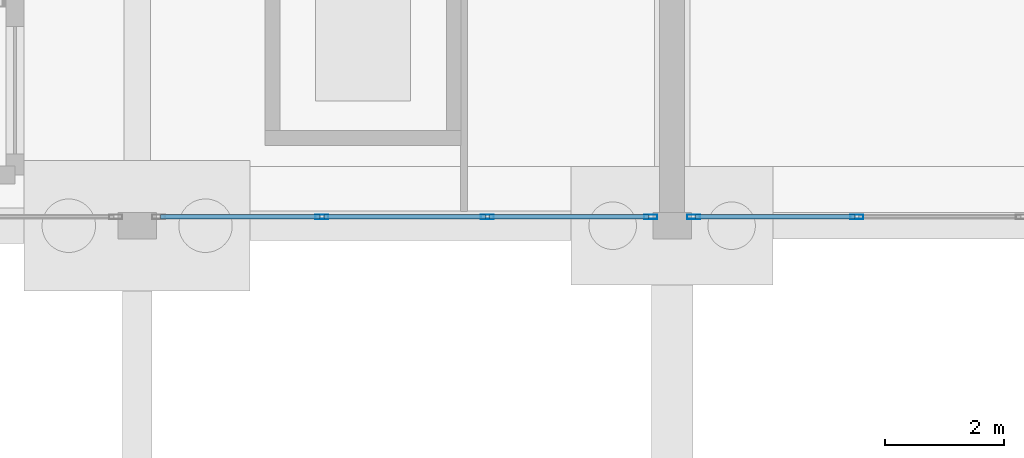
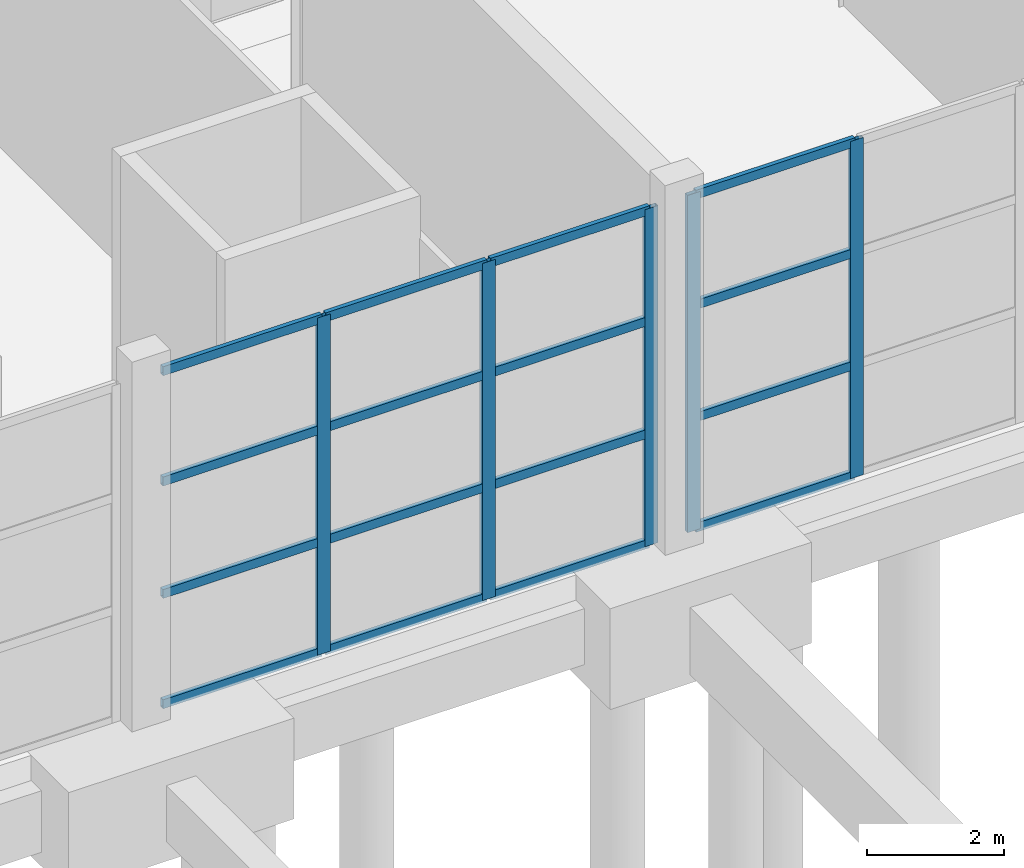
# One storey, part 49 of 115: 21 members, 2 elements without a shape of their own.
"""IFC4 building model written with IfcOpenShell, lengths in metres."""

from ifc_helpers import new_model, si_unit, direction, frame, origin, origin_2d, place, context, subcontext, project, spatial, hollow_rectangle, extrude, material, layer, layer_set, material_profile, profile_set, type_object, element, aggregate, save


model = new_model("IFC4")

# Units and contexts
model_context = context("Model", 3, precision=1e-05, world=origin(), true_north=direction((0.0, 1.0)))
body_context = subcontext(model_context, "Body", "Model", "MODEL_VIEW")
ifc_project = project(units=[si_unit("LENGTHUNIT", "METRE"), si_unit("AREAUNIT", "SQUARE_METRE"), si_unit("VOLUMEUNIT", "CUBIC_METRE"), si_unit("PLANEANGLEUNIT", "RADIAN"), si_unit("MASSUNIT", "GRAM", prefix="KILO")], contexts=[model_context])

# Site, building, storey
site_placement = place(None, origin())
site = spatial("IfcSite", under=ifc_project, at=site_placement, CompositionType="ELEMENT")
building_placement = place(site_placement, origin())
building = spatial("IfcBuilding", under=site, at=building_placement, Name="Tamarisk Ironworks Central Station", CompositionType="ELEMENT")
storey_placement = place(building_placement, origin())
storey = spatial("IfcBuildingStorey", under=building, at=storey_placement, Name="L00", CompositionType="ELEMENT", Elevation=0.0)

# Curtain wall, members
ifc_material = material(Name="Anodized aluminium alloy 6063-T6", Category="aluminium")
ifc_layer = layer(ifc_material, 0.179931640625)
ifc_layer_set = layer_set([ifc_layer], Name="Anodized aluminium alloy 6063-T6")
curtain_wall_type = type_object("IfcCurtainWallType", Name="CW-09", PredefinedType="USERDEFINED", material=ifc_layer_set)
curtain_wall_1_placement = place(storey_placement, origin())
curtain_wall_1 = element("IfcCurtainWall", 1, at=curtain_wall_1_placement, inside=storey, type_object=curtain_wall_type, Name="Pavilion L00 S glazed arcade 18", ObjectType="GLAZED CURTAIN WALL", PredefinedType="USERDEFINED")
ifc_material_profile_1 = material_profile(ifc_material, hollow_rectangle(XDim=0.074951171875, YDim=0.219970703125, WallThickness=0.00390625, at=origin_2d()), Name="ALUM 220x75")
ifc_profile_set_1 = profile_set([ifc_material_profile_1], Name="Anodized aluminium alloy 6063-T6")
member_type_1 = type_object("IfcMemberType", Name="CWM-01", PredefinedType="MULLION", material=ifc_profile_set_1)
member_1_placement = place(storey_placement, frame((21.107666015625, 90.14990234375, 0.0), z_axis=(0.0, 0.0, 1.0), x_axis=(0.0, 1.0, 0.0)))
member_1 = element("IfcMember", 2, at=member_1_placement, type_object=member_type_1, Name="CW09 mullion 2", PredefinedType="MULLION", context=body_context, shape_type="SweptSolid", body=[
    extrude(hollow_rectangle(XDim=0.074951171875, YDim=0.219970703125, WallThickness=0.00390625, at=origin_2d()), origin(), (0.0, 0.0, 1.0), 6.02001953125),
])
member_2_placement = place(storey_placement, frame((23.892333984375, 90.14990234375, 0.0), z_axis=(0.0, 0.0, 1.0), x_axis=(0.0, 1.0, 0.0)))
member_2 = element("IfcMember", 3, at=member_2_placement, type_object=member_type_1, Name="CW09 mullion 3", PredefinedType="MULLION", context=body_context, shape_type="SweptSolid", body=[
    extrude(hollow_rectangle(XDim=0.074951171875, YDim=0.219970703125, WallThickness=0.00390625, at=origin_2d()), origin(), (0.0, 0.0, 1.0), 6.02001953125),
])
member_3_placement = place(storey_placement, frame((26.639404296875, 90.14990234375, 0.0), z_axis=(0.0, 0.0, 1.0), x_axis=(0.0, 1.0, 0.0)))
member_3 = element("IfcMember", 4, at=member_3_placement, type_object=member_type_1, Name="CW09 mullion 4", PredefinedType="MULLION", context=body_context, shape_type="SweptSolid", body=[
    extrude(hollow_rectangle(XDim=0.074951171875, YDim=0.219970703125, WallThickness=0.00390625, at=origin_2d()), origin(), (0.0, 0.0, 1.0), 6.02001953125),
])

curtain_wall_2_placement = place(storey_placement, origin())
curtain_wall_2 = element("IfcCurtainWall", 5, at=curtain_wall_2_placement, inside=storey, type_object=curtain_wall_type, Name="Pavilion L00 S glazed arcade 27", ObjectType="GLAZED CURTAIN WALL", PredefinedType="USERDEFINED")
member_4_placement = place(storey_placement, frame((27.360595703125, 90.14990234375, 0.0), z_axis=(0.0, 0.0, 1.0), x_axis=(0.0, 1.0, 0.0)))
member_4 = element("IfcMember", 6, at=member_4_placement, type_object=member_type_1, Name="CW09 mullion 1", PredefinedType="MULLION", context=body_context, shape_type="SweptSolid", body=[
    extrude(hollow_rectangle(XDim=0.074951171875, YDim=0.219970703125, WallThickness=0.00390625, at=origin_2d()), origin(), (0.0, 0.0, 1.0), 6.02001953125),
])
member_5_placement = place(storey_placement, frame((30.107666015625, 90.14990234375, 0.0), z_axis=(0.0, 0.0, 1.0), x_axis=(0.0, 1.0, 0.0)))
member_5 = element("IfcMember", 7, at=member_5_placement, type_object=member_type_1, Name="CW09 mullion 2", PredefinedType="MULLION", context=body_context, shape_type="SweptSolid", body=[
    extrude(hollow_rectangle(XDim=0.074951171875, YDim=0.219970703125, WallThickness=0.00390625, at=origin_2d()), origin(), (0.0, 0.0, 1.0), 6.02001953125),
])

# Member
ifc_material_profile_2 = material_profile(ifc_material, hollow_rectangle(XDim=0.074951171875, YDim=0.159912109375, WallThickness=0.00390625, at=origin_2d()), Name="ALUM 160x75")
ifc_profile_set_2 = profile_set([ifc_material_profile_2], Name="Anodized aluminium alloy 6063-T6")
member_type_2 = type_object("IfcMemberType", Name="CWT-01", PredefinedType="USERDEFINED", material=ifc_profile_set_2)
member_6_placement = place(storey_placement, frame((18.39404296875, 90.14990234375, 0.03759765625), z_axis=(1.0, 0.0, 0.0), x_axis=(0.0, 1.0, 0.0)))
member_6 = element("IfcMember", 8, at=member_6_placement, type_object=member_type_2, Name="CW09 transom 1.1", ObjectType="TRANSOM", PredefinedType="USERDEFINED", context=body_context, shape_type="SweptSolid", body=[
    extrude(hollow_rectangle(XDim=0.074951171875, YDim=0.159912109375, WallThickness=0.00390625, at=origin_2d()), origin(), (0.0, 0.0, 1.0), 2.68017578125),
])

member_7_placement = place(storey_placement, frame((18.39404296875, 90.14990234375, 2.006591796875), z_axis=(1.0, 0.0, 0.0), x_axis=(0.0, 1.0, 0.0)))
member_7 = element("IfcMember", 9, at=member_7_placement, type_object=member_type_2, Name="CW09 transom 1.2", ObjectType="TRANSOM", PredefinedType="USERDEFINED", context=body_context, shape_type="SweptSolid", body=[
    extrude(hollow_rectangle(XDim=0.074951171875, YDim=0.159912109375, WallThickness=0.00390625, at=origin_2d()), origin(), (0.0, 0.0, 1.0), 2.68017578125),
])

member_8_placement = place(storey_placement, frame((18.39404296875, 90.14990234375, 4.01318359375), z_axis=(1.0, 0.0, 0.0), x_axis=(0.0, 1.0, 0.0)))
member_8 = element("IfcMember", 10, at=member_8_placement, type_object=member_type_2, Name="CW09 transom 1.3", ObjectType="TRANSOM", PredefinedType="USERDEFINED", context=body_context, shape_type="SweptSolid", body=[
    extrude(hollow_rectangle(XDim=0.074951171875, YDim=0.159912109375, WallThickness=0.00390625, at=origin_2d()), origin(), (0.0, 0.0, 1.0), 2.68017578125),
])

member_9_placement = place(storey_placement, frame((18.39404296875, 90.14990234375, 5.982421875), z_axis=(1.0, 0.0, 0.0), x_axis=(0.0, 1.0, 0.0)))
member_9 = element("IfcMember", 11, at=member_9_placement, type_object=member_type_2, Name="CW09 transom 1.4", ObjectType="TRANSOM", PredefinedType="USERDEFINED", context=body_context, shape_type="SweptSolid", body=[
    extrude(hollow_rectangle(XDim=0.074951171875, YDim=0.159912109375, WallThickness=0.00390625, at=origin_2d()), origin(), (0.0, 0.0, 1.0), 2.68017578125),
])

member_10_placement = place(storey_placement, frame((21.14111328125, 90.14990234375, 0.03759765625), z_axis=(1.0, 0.0, 0.0), x_axis=(0.0, 1.0, 0.0)))
member_10 = element("IfcMember", 12, at=member_10_placement, type_object=member_type_2, Name="CW09 transom 2.1", ObjectType="TRANSOM", PredefinedType="USERDEFINED", context=body_context, shape_type="SweptSolid", body=[
    extrude(hollow_rectangle(XDim=0.074951171875, YDim=0.159912109375, WallThickness=0.00390625, at=origin_2d()), origin(), (0.0, 0.0, 1.0), 2.7177734375),
])

member_11_placement = place(storey_placement, frame((21.14111328125, 90.14990234375, 2.006591796875), z_axis=(1.0, 0.0, 0.0), x_axis=(0.0, 1.0, 0.0)))
member_11 = element("IfcMember", 13, at=member_11_placement, type_object=member_type_2, Name="CW09 transom 2.2", ObjectType="TRANSOM", PredefinedType="USERDEFINED", context=body_context, shape_type="SweptSolid", body=[
    extrude(hollow_rectangle(XDim=0.074951171875, YDim=0.159912109375, WallThickness=0.00390625, at=origin_2d()), origin(), (0.0, 0.0, 1.0), 2.7177734375),
])

member_12_placement = place(storey_placement, frame((21.14111328125, 90.14990234375, 4.01318359375), z_axis=(1.0, 0.0, 0.0), x_axis=(0.0, 1.0, 0.0)))
member_12 = element("IfcMember", 14, at=member_12_placement, type_object=member_type_2, Name="CW09 transom 2.3", ObjectType="TRANSOM", PredefinedType="USERDEFINED", context=body_context, shape_type="SweptSolid", body=[
    extrude(hollow_rectangle(XDim=0.074951171875, YDim=0.159912109375, WallThickness=0.00390625, at=origin_2d()), origin(), (0.0, 0.0, 1.0), 2.7177734375),
])

member_13_placement = place(storey_placement, frame((21.14111328125, 90.14990234375, 5.982421875), z_axis=(1.0, 0.0, 0.0), x_axis=(0.0, 1.0, 0.0)))
member_13 = element("IfcMember", 15, at=member_13_placement, type_object=member_type_2, Name="CW09 transom 2.4", ObjectType="TRANSOM", PredefinedType="USERDEFINED", context=body_context, shape_type="SweptSolid", body=[
    extrude(hollow_rectangle(XDim=0.074951171875, YDim=0.159912109375, WallThickness=0.00390625, at=origin_2d()), origin(), (0.0, 0.0, 1.0), 2.7177734375),
])

member_14_placement = place(storey_placement, frame((23.92578125, 90.14990234375, 0.03759765625), z_axis=(1.0, 0.0, 0.0), x_axis=(0.0, 1.0, 0.0)))
member_14 = element("IfcMember", 16, at=member_14_placement, type_object=member_type_2, Name="CW09 transom 3.1", ObjectType="TRANSOM", PredefinedType="USERDEFINED", context=body_context, shape_type="SweptSolid", body=[
    extrude(hollow_rectangle(XDim=0.074951171875, YDim=0.159912109375, WallThickness=0.00390625, at=origin_2d()), origin(), (0.0, 0.0, 1.0), 2.68017578125),
])

member_15_placement = place(storey_placement, frame((23.92578125, 90.14990234375, 2.006591796875), z_axis=(1.0, 0.0, 0.0), x_axis=(0.0, 1.0, 0.0)))
member_15 = element("IfcMember", 17, at=member_15_placement, type_object=member_type_2, Name="CW09 transom 3.2", ObjectType="TRANSOM", PredefinedType="USERDEFINED", context=body_context, shape_type="SweptSolid", body=[
    extrude(hollow_rectangle(XDim=0.074951171875, YDim=0.159912109375, WallThickness=0.00390625, at=origin_2d()), origin(), (0.0, 0.0, 1.0), 2.68017578125),
])

member_16_placement = place(storey_placement, frame((23.92578125, 90.14990234375, 4.01318359375), z_axis=(1.0, 0.0, 0.0), x_axis=(0.0, 1.0, 0.0)))
member_16 = element("IfcMember", 18, at=member_16_placement, type_object=member_type_2, Name="CW09 transom 3.3", ObjectType="TRANSOM", PredefinedType="USERDEFINED", context=body_context, shape_type="SweptSolid", body=[
    extrude(hollow_rectangle(XDim=0.074951171875, YDim=0.159912109375, WallThickness=0.00390625, at=origin_2d()), origin(), (0.0, 0.0, 1.0), 2.68017578125),
])

member_17_placement = place(storey_placement, frame((23.92578125, 90.14990234375, 5.982421875), z_axis=(1.0, 0.0, 0.0), x_axis=(0.0, 1.0, 0.0)))
member_17 = element("IfcMember", 19, at=member_17_placement, type_object=member_type_2, Name="CW09 transom 3.4", ObjectType="TRANSOM", PredefinedType="USERDEFINED", context=body_context, shape_type="SweptSolid", body=[
    extrude(hollow_rectangle(XDim=0.074951171875, YDim=0.159912109375, WallThickness=0.00390625, at=origin_2d()), origin(), (0.0, 0.0, 1.0), 2.68017578125),
])

aggregate(curtain_wall_1, [member_1, member_2, member_3, member_6, member_7, member_8, member_9, member_10, member_11, member_12, member_13, member_14, member_15, member_16, member_17])

member_18_placement = place(storey_placement, frame((27.39404296875, 90.14990234375, 0.03759765625), z_axis=(1.0, 0.0, 0.0), x_axis=(0.0, 1.0, 0.0)))
member_18 = element("IfcMember", 20, at=member_18_placement, type_object=member_type_2, Name="CW09 transom 1.1", ObjectType="TRANSOM", PredefinedType="USERDEFINED", context=body_context, shape_type="SweptSolid", body=[
    extrude(hollow_rectangle(XDim=0.074951171875, YDim=0.159912109375, WallThickness=0.00390625, at=origin_2d()), origin(), (0.0, 0.0, 1.0), 2.68017578125),
])

member_19_placement = place(storey_placement, frame((27.39404296875, 90.14990234375, 2.006591796875), z_axis=(1.0, 0.0, 0.0), x_axis=(0.0, 1.0, 0.0)))
member_19 = element("IfcMember", 21, at=member_19_placement, type_object=member_type_2, Name="CW09 transom 1.2", ObjectType="TRANSOM", PredefinedType="USERDEFINED", context=body_context, shape_type="SweptSolid", body=[
    extrude(hollow_rectangle(XDim=0.074951171875, YDim=0.159912109375, WallThickness=0.00390625, at=origin_2d()), origin(), (0.0, 0.0, 1.0), 2.68017578125),
])

member_20_placement = place(storey_placement, frame((27.39404296875, 90.14990234375, 4.01318359375), z_axis=(1.0, 0.0, 0.0), x_axis=(0.0, 1.0, 0.0)))
member_20 = element("IfcMember", 22, at=member_20_placement, type_object=member_type_2, Name="CW09 transom 1.3", ObjectType="TRANSOM", PredefinedType="USERDEFINED", context=body_context, shape_type="SweptSolid", body=[
    extrude(hollow_rectangle(XDim=0.074951171875, YDim=0.159912109375, WallThickness=0.00390625, at=origin_2d()), origin(), (0.0, 0.0, 1.0), 2.68017578125),
])

member_21_placement = place(storey_placement, frame((27.39404296875, 90.14990234375, 5.982421875), z_axis=(1.0, 0.0, 0.0), x_axis=(0.0, 1.0, 0.0)))
member_21 = element("IfcMember", 23, at=member_21_placement, type_object=member_type_2, Name="CW09 transom 1.4", ObjectType="TRANSOM", PredefinedType="USERDEFINED", context=body_context, shape_type="SweptSolid", body=[
    extrude(hollow_rectangle(XDim=0.074951171875, YDim=0.159912109375, WallThickness=0.00390625, at=origin_2d()), origin(), (0.0, 0.0, 1.0), 2.68017578125),
])

aggregate(curtain_wall_2, [member_4, member_5, member_18, member_19, member_20, member_21])

save(model, "model.ifc")
